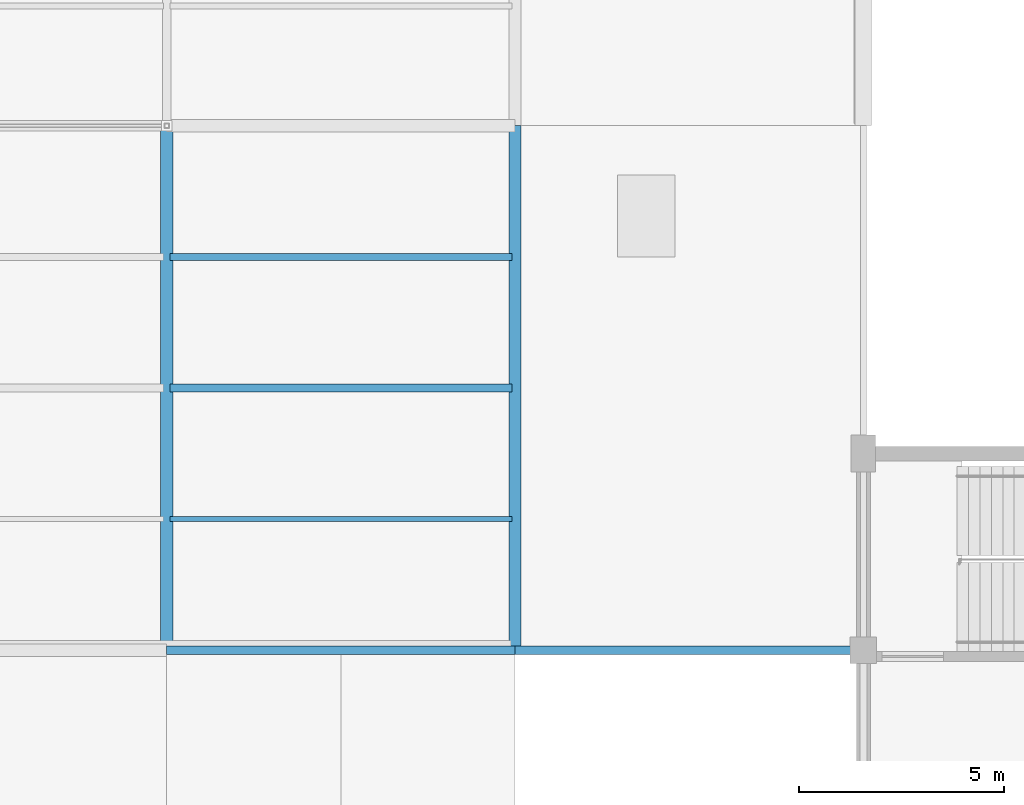
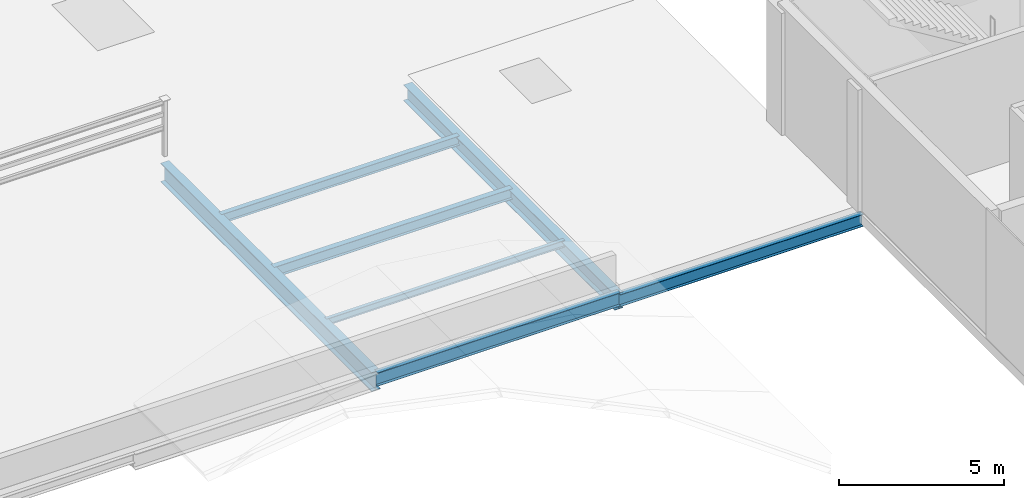
# One storey, part 10 of 66: 7 beams.
"""IFC4 building model written with IfcOpenShell, lengths in metres."""

from ifc_helpers import new_model, si_unit, direction, frame, origin, origin_2d, place, context, subcontext, project, spatial, i_section, extrude, material, material_profile, profile_set, type_object, element, save


model = new_model("IFC4")

# Units and contexts
model_context = context("Model", 3, precision=1e-05, world=origin(), true_north=direction((0.0, 1.0)))
body_context = subcontext(model_context, "Body", "Model", "MODEL_VIEW")
ifc_project = project(units=[si_unit("LENGTHUNIT", "METRE"), si_unit("AREAUNIT", "SQUARE_METRE"), si_unit("VOLUMEUNIT", "CUBIC_METRE"), si_unit("PLANEANGLEUNIT", "RADIAN"), si_unit("MASSUNIT", "GRAM", prefix="KILO")], contexts=[model_context])

# Site, building, storey
site_placement = place(None, origin())
site = spatial("IfcSite", under=ifc_project, at=site_placement, CompositionType="ELEMENT")
building_placement = place(site_placement, origin())
building = spatial("IfcBuilding", under=site, at=building_placement, Name="Solvikara Media Centre", CompositionType="ELEMENT")
storey_placement = place(building_placement, frame((0.0, 0.0, 19.800048828125)))
storey = spatial("IfcBuildingStorey", under=building, at=storey_placement, Name="L04", CompositionType="ELEMENT", Elevation=19.800048828125)

# Beams
ifc_material = material(Name="Steel S355JR", Category="steel")
ifc_material_profile_1 = material_profile(ifc_material, i_section(OverallWidth=0.300048828125, OverallDepth=0.699951171875, WebThickness=0.012939453125, FlangeThickness=0.02392578125, at=origin_2d()), Name="WF 700x300x13x24")
ifc_profile_set_1 = profile_set([ifc_material_profile_1], Name="Steel S355JR")
beam_type_1 = type_object("IfcBeamType", Name="BM-17", PredefinedType="BEAM", material=ifc_profile_set_1)
beam_1_placement = place(storey_placement, frame((17.0, 32.0, -0.58203125), z_axis=(0.0, 1.0, 0.0), x_axis=(-1.0, 0.0, 0.0)))
element("IfcBeam", 1, at=beam_1_placement, inside=storey, type_object=beam_type_1, Name="B-L04-Y1500", PredefinedType="BEAM", context=body_context, shape_type="SweptSolid", body=[
    extrude(i_section(OverallWidth=0.300048828125, OverallDepth=0.699951171875, WebThickness=0.012939453125, FlangeThickness=0.02392578125, at=origin_2d()), origin(), (0.0, 0.0, 1.0), 12.800048828125),
])
ifc_material_profile_2 = material_profile(ifc_material, i_section(OverallWidth=0.125, OverallDepth=0.25, WebThickness=0.006103515625, FlangeThickness=0.009033203125, at=origin_2d()), Name="WF 250x125x6x9")
ifc_profile_set_2 = profile_set([ifc_material_profile_2], Name="Steel S355JR")
beam_type_2 = type_object("IfcBeamType", Name="BM-24", PredefinedType="JOIST", material=ifc_profile_set_2)
beam_2_placement = place(storey_placement, frame((17.077880859375, 35.199951171875, -0.35693359375), z_axis=(1.0, 0.0, 0.0), x_axis=(0.0, 1.0, 0.0)))
element("IfcBeam", 2, at=beam_2_placement, inside=storey, type_object=beam_type_2, Name="J-L04-1572", PredefinedType="JOIST", context=body_context, shape_type="SweptSolid", body=[
    extrude(i_section(OverallWidth=0.125, OverallDepth=0.25, WebThickness=0.006103515625, FlangeThickness=0.009033203125, at=origin_2d()), origin(), (0.0, 0.0, 1.0), 8.34423828125),
])
ifc_material_profile_3 = material_profile(ifc_material, i_section(OverallWidth=0.300048828125, OverallDepth=0.587890625, WebThickness=0.011962890625, FlangeThickness=0.02001953125, at=origin_2d()), Name="H 588x300x12x20")
ifc_profile_set_3 = profile_set([ifc_material_profile_3], Name="Steel S355JR")
beam_type_3 = type_object("IfcBeamType", Name="BM-26", PredefinedType="BEAM", material=ifc_profile_set_3)
beam_3_placement = place(storey_placement, frame((25.5, 32.0, -0.60595703125), z_axis=(0.0, 1.0, 0.0), x_axis=(-1.0, 0.0, 0.0)))
element("IfcBeam", 3, at=beam_3_placement, inside=storey, type_object=beam_type_3, Name="B-L04-Y1504", PredefinedType="BEAM", context=body_context, shape_type="SweptSolid", body=[
    extrude(i_section(OverallWidth=0.300048828125, OverallDepth=0.587890625, WebThickness=0.011962890625, FlangeThickness=0.02001953125, at=origin_2d()), origin(), (0.0, 0.0, 1.0), 12.800048828125),
])
ifc_material_profile_4 = material_profile(ifc_material, i_section(OverallWidth=0.198974609375, OverallDepth=0.39599609375, WebThickness=0.007080078125, FlangeThickness=0.010986328125, at=origin_2d()), Name="WF 396x199x7x11")
ifc_profile_set_4 = profile_set([ifc_material_profile_4], Name="Steel S355JR")
beam_type_4 = type_object("IfcBeamType", Name="BM-37", PredefinedType="JOIST", material=ifc_profile_set_4)
beam_4_placement = place(storey_placement, frame((17.077880859375, 38.39990234375, -0.429931640625), z_axis=(1.0, 0.0, 0.0), x_axis=(0.0, 1.0, 0.0)))
element("IfcBeam", 4, at=beam_4_placement, inside=storey, type_object=beam_type_4, Name="J-L04-1573", PredefinedType="JOIST", context=body_context, shape_type="SweptSolid", body=[
    extrude(i_section(OverallWidth=0.198974609375, OverallDepth=0.39599609375, WebThickness=0.007080078125, FlangeThickness=0.010986328125, at=origin_2d()), origin(), (0.0, 0.0, 1.0), 8.34423828125),
])
ifc_material_profile_5 = material_profile(ifc_material, i_section(OverallWidth=0.174072265625, OverallDepth=0.345947265625, WebThickness=0.006103515625, FlangeThickness=0.009033203125, at=origin_2d()), Name="WF 346x174x6x9")
ifc_profile_set_5 = profile_set([ifc_material_profile_5], Name="Steel S355JR")
beam_type_5 = type_object("IfcBeamType", Name="BM-38", PredefinedType="JOIST", material=ifc_profile_set_5)
beam_5_placement = place(storey_placement, frame((17.077880859375, 41.60009765625, -0.405029296875), z_axis=(1.0, 0.0, 0.0), x_axis=(0.0, 1.0, 0.0)))
element("IfcBeam", 5, at=beam_5_placement, inside=storey, type_object=beam_type_5, Name="J-L04-1574", PredefinedType="JOIST", context=body_context, shape_type="SweptSolid", body=[
    extrude(i_section(OverallWidth=0.174072265625, OverallDepth=0.345947265625, WebThickness=0.006103515625, FlangeThickness=0.009033203125, at=origin_2d()), origin(), (0.0, 0.0, 1.0), 8.34423828125),
])
ifc_material_profile_6 = material_profile(ifc_material, i_section(OverallWidth=0.198974609375, OverallDepth=0.49609375, WebThickness=0.009033203125, FlangeThickness=0.013916015625, at=origin_2d()), Name="H 496x199x9x14")
ifc_profile_set_6 = profile_set([ifc_material_profile_6], Name="Steel S355JR")
beam_type_6 = type_object("IfcBeamType", Name="BM-42", PredefinedType="BEAM", material=ifc_profile_set_6)
beam_6_placement = place(storey_placement, frame((17.0, 32.0, -0.47998046875), z_axis=(1.0, 0.0, 0.0), x_axis=(0.0, 1.0, 0.0)))
element("IfcBeam", 6, at=beam_6_placement, inside=storey, type_object=beam_type_6, Name="B-L04-X1454", PredefinedType="BEAM", context=body_context, shape_type="SweptSolid", body=[
    extrude(i_section(OverallWidth=0.198974609375, OverallDepth=0.49609375, WebThickness=0.009033203125, FlangeThickness=0.013916015625, at=origin_2d()), origin(), (0.0, 0.0, 1.0), 8.5),
])
ifc_material_profile_7 = material_profile(ifc_material, i_section(OverallWidth=0.198974609375, OverallDepth=0.446044921875, WebThickness=0.008056640625, FlangeThickness=0.011962890625, at=origin_2d()), Name="H 446x199x8x12")
ifc_profile_set_7 = profile_set([ifc_material_profile_7], Name="Steel S355JR")
beam_type_7 = type_object("IfcBeamType", Name="BM-43", PredefinedType="BEAM", material=ifc_profile_set_7)
beam_7_placement = place(storey_placement, frame((25.5, 32.0, -0.53515625), z_axis=(1.0, 0.0, 0.0), x_axis=(0.0, 1.0, 0.0)))
element("IfcBeam", 7, at=beam_7_placement, inside=storey, type_object=beam_type_7, Name="B-L04-X1455", PredefinedType="BEAM", context=body_context, shape_type="SweptSolid", body=[
    extrude(i_section(OverallWidth=0.198974609375, OverallDepth=0.446044921875, WebThickness=0.008056640625, FlangeThickness=0.011962890625, at=origin_2d()), origin(), (0.0, 0.0, 1.0), 8.5),
])

save(model, "model.ifc")
